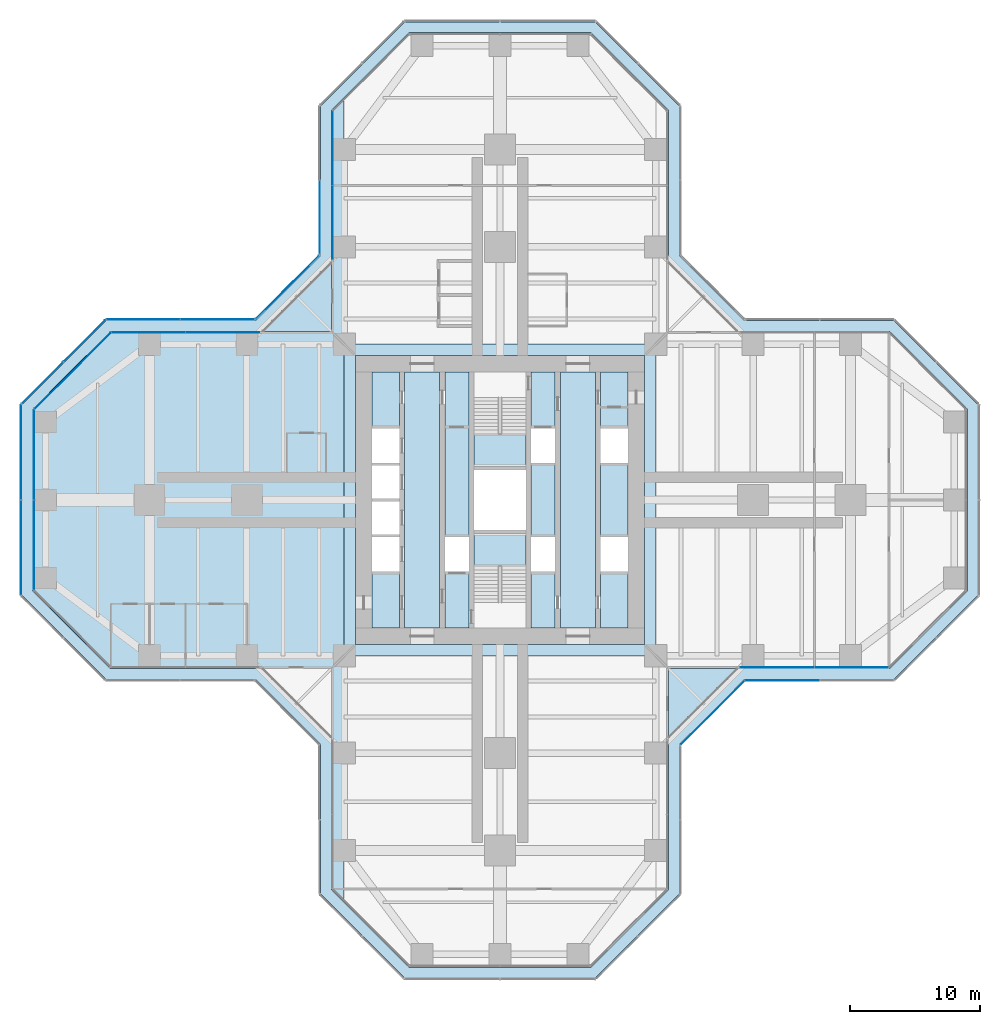
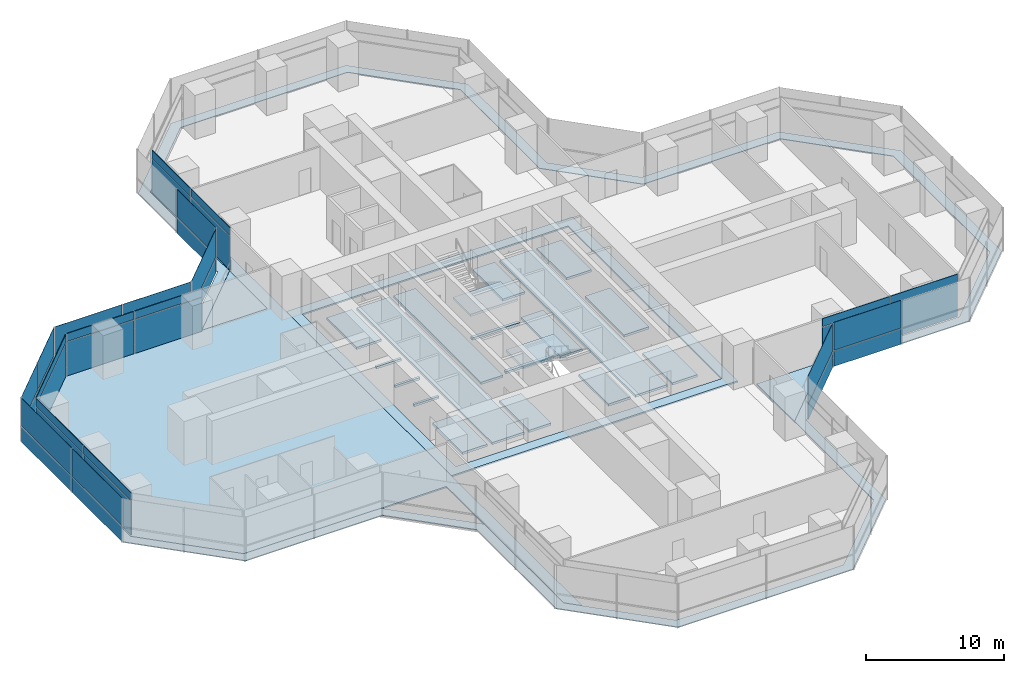
# One storey, part 15 of 22: 39 plates, 7 slabs, 14 elements without a shape of their own.
"""IFC4 building model written with IfcOpenShell, lengths in metres."""

from ifc_helpers import new_model, si_unit, direction, frame, origin, origin_2d, place, context, subcontext, project, spatial, polyline, rectangle, outline, extrude, material, layer, layer_set, type_object, element, aggregate, save


model = new_model("IFC4")

# Units and contexts
model_context = context("Model", 3, precision=1e-05, world=origin(), true_north=direction((0.0, 1.0)))
body_context = subcontext(model_context, "Body", "Model", "MODEL_VIEW")
ifc_project = project(units=[si_unit("LENGTHUNIT", "METRE"), si_unit("AREAUNIT", "SQUARE_METRE"), si_unit("VOLUMEUNIT", "CUBIC_METRE"), si_unit("PLANEANGLEUNIT", "RADIAN"), si_unit("MASSUNIT", "GRAM", prefix="KILO")], contexts=[model_context])

# Site, building, storey
site_placement = place(None, origin())
site = spatial("IfcSite", under=ifc_project, at=site_placement, CompositionType="ELEMENT")
building_placement = place(site_placement, origin())
building = spatial("IfcBuilding", under=site, at=building_placement, Name="Mizan Broadcast Tower", CompositionType="ELEMENT")
storey_placement = place(building_placement, frame((0.0, 0.0, 74.699951171875)))
storey = spatial("IfcBuildingStorey", under=building, at=storey_placement, Name="L15", CompositionType="ELEMENT", Elevation=74.699951171875)

# Plate
ifc_material_1 = material(Name="Aluminium grating", Category="aluminium")
ifc_layer_1 = layer(ifc_material_1, 0.050048828125)
ifc_layer_set_1 = layer_set([ifc_layer_1], Name="Aluminium grating")
plate_type_1 = type_object("IfcPlateType", Name="CAVITY GRATING", PredefinedType="USERDEFINED", material=ifc_layer_set_1)
plate_1_placement = place(storey_placement, frame((0.0, 0.0, -0.050048828125)))
element("IfcPlate", 1, at=plate_1_placement, inside=storey, type_object=plate_type_1, Name="Cavity grating L15", ObjectType="GRATING", PredefinedType="USERDEFINED", context=body_context, shape_type="SweptSolid", body=[
    extrude(outline(polyline([(13.820068359375, -18.839599609375), (18.839599609375, -13.820068359375), (30.339599609375, -13.820068359375), (36.820068359375, -7.339599609375), (36.820068359375, 7.339599609375), (30.339599609375, 13.820068359375), (18.839599609375, 13.820068359375), (13.820068359375, 18.839599609375), (13.820068359375, 30.339599609375), (7.339599609375, 36.820068359375), (-7.339599609375, 36.820068359375), (-13.820068359375, 30.339599609375), (-13.820068359375, 18.839599609375), (-18.839599609375, 13.820068359375), (-30.339599609375, 13.820068359375), (-36.820068359375, 7.339599609375), (-36.820068359375, -7.339599609375), (-30.339599609375, -13.820068359375), (-18.839599609375, -13.820068359375), (-13.820068359375, -18.839599609375), (-13.820068359375, -30.339599609375), (-7.339599609375, -36.820068359375), (7.339599609375, -36.820068359375), (13.820068359375, -30.339599609375), (13.820068359375, -18.839599609375)]), holes=[polyline([(36.0, 7.0), (36.0, -7.0), (30.0, -13.0), (18.5, -13.0), (13.0, -18.5), (13.0, -30.0), (7.0, -36.0), (-7.0, -36.0), (-13.0, -30.0), (-13.0, -18.5), (-18.5, -13.0), (-30.0, -13.0), (-36.0, -7.0), (-36.0, 7.0), (-30.0, 13.0), (-18.5, 13.0), (-13.0, 18.5), (-13.0, 30.0), (-7.0, 36.0), (7.0, 36.0), (13.0, 30.0), (13.0, 18.5), (18.5, 13.0), (30.0, 13.0), (36.0, 7.0)])]), origin(), (0.0, 0.0, 1.0), 0.050048828125),
])

# Slabs
ifc_material_2 = material(Name="Concrete C32/40", Category="concrete")
ifc_layer_2 = layer(ifc_material_2, 0.1298828125)
ifc_layer_set_2 = layer_set([ifc_layer_2], Name="Concrete C32/40")
slab_type_1 = type_object("IfcSlabType", Name="COMPOSITE DECK SLAB 130", PredefinedType="FLOOR", material=ifc_layer_set_2)
slab_1_placement = place(storey_placement, frame((0.0, 0.0, -0.1298828125)))
element("IfcSlab", 2, at=slab_1_placement, inside=storey, type_object=slab_type_1, Name="Floor slab L15 centre", PredefinedType="FLOOR", context=body_context, shape_type="SweptSolid", body=[
    extrude(outline(polyline([(-12.0, -12.0), (12.0, -12.0), (12.0, 12.0), (-12.0, 12.0), (-12.0, -12.0)]), holes=[polyline([(-11.14990234375, 11.14990234375), (11.14990234375, 11.14990234375), (11.14990234375, -11.14990234375), (-11.14990234375, -11.14990234375), (-11.14990234375, 11.14990234375)])]), origin(), (0.0, 0.0, 1.0), 0.1298828125),
])
slab_2_placement = place(storey_placement, frame((0.0, 0.0, -0.1298828125)))
element("IfcSlab", 3, at=slab_2_placement, inside=storey, type_object=slab_type_1, Name="Floor slab L15 west arm", PredefinedType="FLOOR", context=body_context, shape_type="SweptSolid", body=[
    extrude(outline(polyline([(-13.0, -30.0), (-12.0, -31.0), (-12.0, 31.0), (-13.0, 30.0), (-13.0, 13.0), (-30.0, 13.0), (-36.0, 7.0), (-36.0, -7.0), (-30.0, -13.0), (-13.0, -13.0), (-13.0, -30.0)])), origin(), (0.0, 0.0, 1.0), 0.1298828125),
])
ifc_material_3 = material(Name="Concrete C40/50", Category="concrete")
ifc_layer_3 = layer(ifc_material_3, 0.199951171875)
ifc_layer_set_3 = layer_set([ifc_layer_3], Name="Concrete C40/50")
slab_type_2 = type_object("IfcSlabType", Name="CORE FLOOR 200", PredefinedType="FLOOR", material=ifc_layer_set_3)
slab_3_placement = place(storey_placement, frame((0.0, 0.0, -0.199951171875)))
element("IfcSlab", 4, at=slab_3_placement, inside=storey, type_object=slab_type_2, Name="Core floor L15", PredefinedType="FLOOR", context=body_context, shape_type="SweptSolid", body=[
    extrude(outline(polyline([(-9.85009765625, -9.85009765625), (-7.75, -9.85009765625), (-7.75, -5.5), (-9.85009765625, -5.5), (-9.85009765625, -9.85009765625)])), origin(), (0.0, 0.0, 1.0), 0.199951171875),
    extrude(outline(polyline([(-9.85009765625, -2.85009765625), (-7.75, -2.85009765625), (-7.75, -2.64990234375), (-9.85009765625, -2.64990234375), (-9.85009765625, -2.85009765625)])), origin(), (0.0, 0.0, 1.0), 0.199951171875),
    extrude(outline(polyline([(-9.85009765625, -0.10009765625), (-7.75, -0.10009765625), (-7.75, 0.10009765625), (-9.85009765625, 0.10009765625), (-9.85009765625, -0.10009765625)])), origin(), (0.0, 0.0, 1.0), 0.199951171875),
    extrude(outline(polyline([(-9.85009765625, 2.64990234375), (-7.75, 2.64990234375), (-7.75, 2.85009765625), (-9.85009765625, 2.85009765625), (-9.85009765625, 2.64990234375)])), origin(), (0.0, 0.0, 1.0), 0.199951171875),
    extrude(outline(polyline([(-9.85009765625, 5.5), (-7.75, 5.5), (-7.75, 9.85009765625), (-9.85009765625, 9.85009765625), (-9.85009765625, 5.5)])), origin(), (0.0, 0.0, 1.0), 0.199951171875),
    extrude(outline(polyline([(-4.64990234375, 9.85009765625), (-7.35009765625, 9.85009765625), (-7.35009765625, -9.85009765625), (-4.64990234375, -9.85009765625), (-4.64990234375, 9.85009765625)])), origin(), (0.0, 0.0, 1.0), 0.199951171875),
    extrude(outline(polyline([(-4.25, -5.5), (-4.25, -9.85009765625), (-2.39990234375, -9.85009765625), (-2.39990234375, -5.5), (-4.25, -5.5)])), origin(), (0.0, 0.0, 1.0), 0.199951171875),
    extrude(outline(polyline([(-4.25, -2.85009765625), (-2.39990234375, -2.85009765625), (-2.39990234375, 9.85009765625), (-4.25, 9.85009765625), (-4.25, -2.85009765625)])), origin(), (0.0, 0.0, 1.0), 0.199951171875),
    extrude(outline(polyline([(2.0, -2.324951171875), (-2.0, -2.324951171875), (-2.0, -2.574951171875), (2.0, -2.574951171875), (2.0, -2.324951171875)])), origin(), (0.0, 0.0, 1.0), 0.199951171875),
    extrude(outline(polyline([(2.0, 2.574951171875), (-2.0, 2.574951171875), (-2.0, 2.324951171875), (2.0, 2.324951171875), (2.0, 2.574951171875)])), origin(), (0.0, 0.0, 1.0), 0.199951171875),
    extrude(outline(polyline([(4.25, -9.85009765625), (4.25, -5.5), (2.39990234375, -5.5), (2.39990234375, -9.85009765625), (4.25, -9.85009765625)])), origin(), (0.0, 0.0, 1.0), 0.199951171875),
    extrude(outline(polyline([(4.25, -2.85009765625), (4.25, 2.85009765625), (2.39990234375, 2.85009765625), (2.39990234375, -2.85009765625), (4.25, -2.85009765625)])), origin(), (0.0, 0.0, 1.0), 0.199951171875),
    extrude(outline(polyline([(4.25, 5.5), (4.25, 9.85009765625), (2.39990234375, 9.85009765625), (2.39990234375, 5.5), (4.25, 5.5)])), origin(), (0.0, 0.0, 1.0), 0.199951171875),
    extrude(outline(polyline([(4.64990234375, 9.85009765625), (4.64990234375, -9.85009765625), (7.35009765625, -9.85009765625), (7.35009765625, 9.85009765625), (4.64990234375, 9.85009765625)])), origin(), (0.0, 0.0, 1.0), 0.199951171875),
    extrude(outline(polyline([(9.85009765625, -9.85009765625), (9.85009765625, -5.5), (7.75, -5.5), (7.75, -9.85009765625), (9.85009765625, -9.85009765625)])), origin(), (0.0, 0.0, 1.0), 0.199951171875),
    extrude(outline(polyline([(7.75, 2.85009765625), (7.75, -2.85009765625), (9.85009765625, -2.85009765625), (9.85009765625, 2.85009765625), (7.75, 2.85009765625)])), origin(), (0.0, 0.0, 1.0), 0.199951171875),
    extrude(outline(polyline([(9.85009765625, 5.5), (9.85009765625, 9.85009765625), (7.75, 9.85009765625), (7.75, 5.5), (9.85009765625, 5.5)])), origin(), (0.0, 0.0, 1.0), 0.199951171875),
])

# Curtain wall, plates
ifc_material_4 = material(Name="Aluminium framed glazing", Category="aluminium")
curtain_wall_type_1 = type_object("IfcCurtainWallType", Name="INNER SKIN LOW ZONE", PredefinedType="USERDEFINED", material=ifc_material_4)
curtain_wall_1_placement = place(storey_placement, origin())
curtain_wall_1 = element("IfcCurtainWall", 5, at=curtain_wall_1_placement, inside=storey, type_object=curtain_wall_type_1, Name="Inner skin low zone L15 E side", ObjectType="INNER SKIN LOW ZONE", PredefinedType="USERDEFINED")
ifc_material_5 = material(Name="Double glazing, clear low-e", Category="glass")
ifc_layer_4 = layer(ifc_material_5, 0.028076171875)
ifc_layer_set_4 = layer_set([ifc_layer_4], Name="Double glazing, clear low-e")
plate_type_2 = type_object("IfcPlateType", Name="INNER SKIN GLAZING UNIT", PredefinedType="CURTAIN_PANEL", material=ifc_layer_set_4)
plate_2_placement = place(storey_placement, frame((21.379638671875, -12.89990234375, 0.0), z_axis=(0.0, 0.0, 1.0), x_axis=(1.0, 0.0, 0.0)))
plate_2 = element("IfcPlate", 6, at=plate_2_placement, type_object=plate_type_2, Name="Inner skin low zone L15 E side panel 1.1", PredefinedType="CURTAIN_PANEL", context=body_context, shape_type="SweptSolid", body=[
    extrude(rectangle(XDim=5.639404296875, YDim=0.028076171875, at=origin_2d()), origin(), (0.0, 0.0, 1.0), 3.0),
])
plate_3_placement = place(storey_placement, frame((27.078857421875, -12.89990234375, 0.0), z_axis=(0.0, 0.0, 1.0), x_axis=(1.0, 0.0, 0.0)))
plate_3 = element("IfcPlate", 7, at=plate_3_placement, type_object=plate_type_2, Name="Inner skin low zone L15 E side panel 2.1", PredefinedType="CURTAIN_PANEL", context=body_context, shape_type="SweptSolid", body=[
    extrude(rectangle(XDim=5.639404296875, YDim=0.028076171875, at=origin_2d()), origin(), (0.0, 0.0, 1.0), 3.0),
])

curtain_wall_2_placement = place(storey_placement, origin())
curtain_wall_2 = element("IfcCurtainWall", 8, at=curtain_wall_2_placement, inside=storey, type_object=curtain_wall_type_1, Name="Inner skin low zone L15 N side", ObjectType="INNER SKIN LOW ZONE", PredefinedType="USERDEFINED")
plate_4_placement = place(storey_placement, frame((-12.89990234375, 27.078857421875, 0.0), z_axis=(0.0, 0.0, 1.0), x_axis=(0.0, -1.0, 0.0)))
plate_4 = element("IfcPlate", 9, at=plate_4_placement, type_object=plate_type_2, Name="Inner skin low zone L15 N side panel 1.1", PredefinedType="CURTAIN_PANEL", context=body_context, shape_type="SweptSolid", body=[
    extrude(rectangle(XDim=5.639404296875, YDim=0.028076171875, at=origin_2d()), origin(), (0.0, 0.0, 1.0), 3.0),
])
plate_5_placement = place(storey_placement, frame((-12.89990234375, 21.379638671875, 0.0), z_axis=(0.0, 0.0, 1.0), x_axis=(0.0, -1.0, 0.0)))
plate_5 = element("IfcPlate", 10, at=plate_5_placement, type_object=plate_type_2, Name="Inner skin low zone L15 N side panel 2.1", PredefinedType="CURTAIN_PANEL", context=body_context, shape_type="SweptSolid", body=[
    extrude(rectangle(XDim=5.639404296875, YDim=0.028076171875, at=origin_2d()), origin(), (0.0, 0.0, 1.0), 3.0),
])

curtain_wall_3_placement = place(storey_placement, origin())
curtain_wall_3 = element("IfcCurtainWall", 11, at=curtain_wall_3_placement, inside=storey, type_object=curtain_wall_type_1, Name="Inner skin low zone L15 W side", ObjectType="INNER SKIN LOW ZONE", PredefinedType="USERDEFINED")
plate_6_placement = place(storey_placement, frame((-21.379638671875, 12.89990234375, 0.0), z_axis=(0.0, 0.0, 1.0), x_axis=(-1.0, 0.0, 0.0)))
plate_6 = element("IfcPlate", 12, at=plate_6_placement, type_object=plate_type_2, Name="Inner skin low zone L15 W side panel 1.1", PredefinedType="CURTAIN_PANEL", context=body_context, shape_type="SweptSolid", body=[
    extrude(rectangle(XDim=5.639404296875, YDim=0.028076171875, at=origin_2d()), origin(), (0.0, 0.0, 1.0), 3.0),
])
plate_7_placement = place(storey_placement, frame((-27.078857421875, 12.89990234375, 0.0), z_axis=(0.0, 0.0, 1.0), x_axis=(-1.0, 0.0, 0.0)))
plate_7 = element("IfcPlate", 13, at=plate_7_placement, type_object=plate_type_2, Name="Inner skin low zone L15 W side panel 2.1", PredefinedType="CURTAIN_PANEL", context=body_context, shape_type="SweptSolid", body=[
    extrude(rectangle(XDim=5.639404296875, YDim=0.028076171875, at=origin_2d()), origin(), (0.0, 0.0, 1.0), 3.0),
])

# Curtain wall, plate
curtain_wall_4_placement = place(storey_placement, origin())
curtain_wall_4 = element("IfcCurtainWall", 14, at=curtain_wall_4_placement, inside=storey, type_object=curtain_wall_type_1, Name="Inner skin low zone L15 W chamfer", ObjectType="INNER SKIN LOW ZONE", PredefinedType="USERDEFINED")
plate_8_placement = place(storey_placement, frame((-32.92919921875, 9.92919921875, 0.0), z_axis=(0.0, 0.0, 1.0), x_axis=(-0.707106781187, -0.707106781187, 0.0)))
plate_8 = element("IfcPlate", 15, at=plate_8_placement, type_object=plate_type_2, Name="Inner skin low zone L15 W chamfer panel 1.1", PredefinedType="CURTAIN_PANEL", context=body_context, shape_type="SweptSolid", body=[
    extrude(rectangle(XDim=8.282470703125, YDim=0.028076171875, at=origin_2d()), origin(), (0.0, 0.0, 1.0), 3.0),
])

# Curtain wall, plates
curtain_wall_5_placement = place(storey_placement, origin())
curtain_wall_5 = element("IfcCurtainWall", 16, at=curtain_wall_5_placement, inside=storey, type_object=curtain_wall_type_1, Name="Inner skin low zone L15 W end", ObjectType="INNER SKIN LOW ZONE", PredefinedType="USERDEFINED")
plate_9_placement = place(storey_placement, frame((-35.89990234375, 3.46435546875, 0.0), z_axis=(0.0, 0.0, 1.0), x_axis=(0.0, -1.0, 0.0)))
plate_9 = element("IfcPlate", 17, at=plate_9_placement, type_object=plate_type_2, Name="Inner skin low zone L15 W end panel 1.1", PredefinedType="CURTAIN_PANEL", context=body_context, shape_type="SweptSolid", body=[
    extrude(rectangle(XDim=6.86865234375, YDim=0.028076171875, at=origin_2d()), origin(), (0.0, 0.0, 1.0), 3.0),
])
plate_10_placement = place(storey_placement, frame((-35.89990234375, -3.46435546875, 0.0), z_axis=(0.0, 0.0, 1.0), x_axis=(0.0, -1.0, 0.0)))
plate_10 = element("IfcPlate", 18, at=plate_10_placement, type_object=plate_type_2, Name="Inner skin low zone L15 W end panel 2.1", PredefinedType="CURTAIN_PANEL", context=body_context, shape_type="SweptSolid", body=[
    extrude(rectangle(XDim=6.86865234375, YDim=0.028076171875, at=origin_2d()), origin(), (0.0, 0.0, 1.0), 3.0),
])

# Plate
ifc_material_6 = material(Name="Insulated aluminium spandrel panel, pale anodised", Category="aluminium")
ifc_layer_5 = layer(ifc_material_6, 0.050048828125)
ifc_layer_set_5 = layer_set([ifc_layer_5], Name="Insulated aluminium spandrel panel, pale anodised")
plate_type_3 = type_object("IfcPlateType", Name="INNER SKIN SPANDREL PANEL", PredefinedType="CURTAIN_PANEL", material=ifc_layer_set_5)
plate_11_placement = place(storey_placement, frame((21.379638671875, -12.89990234375, 3.06005859375), z_axis=(0.0, 0.0, 1.0), x_axis=(1.0, 0.0, 0.0)))
plate_11 = element("IfcPlate", 19, at=plate_11_placement, type_object=plate_type_3, Name="Inner skin low zone L15 E side panel 1.2", PredefinedType="CURTAIN_PANEL", context=body_context, shape_type="SweptSolid", body=[
    extrude(rectangle(XDim=5.639404296875, YDim=0.050048828125, at=origin_2d()), origin(), (0.0, 0.0, 1.0), 0.7099609375),
])

plate_12_placement = place(storey_placement, frame((27.078857421875, -12.89990234375, 3.06005859375), z_axis=(0.0, 0.0, 1.0), x_axis=(1.0, 0.0, 0.0)))
plate_12 = element("IfcPlate", 20, at=plate_12_placement, type_object=plate_type_3, Name="Inner skin low zone L15 E side panel 2.2", PredefinedType="CURTAIN_PANEL", context=body_context, shape_type="SweptSolid", body=[
    extrude(rectangle(XDim=5.639404296875, YDim=0.050048828125, at=origin_2d()), origin(), (0.0, 0.0, 1.0), 0.7099609375),
])

aggregate(curtain_wall_1, [plate_2, plate_11, plate_3, plate_12])

plate_13_placement = place(storey_placement, frame((-12.89990234375, 27.078857421875, 3.06005859375), z_axis=(0.0, 0.0, 1.0), x_axis=(0.0, -1.0, 0.0)))
plate_13 = element("IfcPlate", 21, at=plate_13_placement, type_object=plate_type_3, Name="Inner skin low zone L15 N side panel 1.2", PredefinedType="CURTAIN_PANEL", context=body_context, shape_type="SweptSolid", body=[
    extrude(rectangle(XDim=5.639404296875, YDim=0.050048828125, at=origin_2d()), origin(), (0.0, 0.0, 1.0), 0.7099609375),
])

plate_14_placement = place(storey_placement, frame((-12.89990234375, 21.379638671875, 3.06005859375), z_axis=(0.0, 0.0, 1.0), x_axis=(0.0, -1.0, 0.0)))
plate_14 = element("IfcPlate", 22, at=plate_14_placement, type_object=plate_type_3, Name="Inner skin low zone L15 N side panel 2.2", PredefinedType="CURTAIN_PANEL", context=body_context, shape_type="SweptSolid", body=[
    extrude(rectangle(XDim=5.639404296875, YDim=0.050048828125, at=origin_2d()), origin(), (0.0, 0.0, 1.0), 0.7099609375),
])

aggregate(curtain_wall_2, [plate_4, plate_13, plate_5, plate_14])

plate_15_placement = place(storey_placement, frame((-21.379638671875, 12.89990234375, 3.06005859375), z_axis=(0.0, 0.0, 1.0), x_axis=(-1.0, 0.0, 0.0)))
plate_15 = element("IfcPlate", 23, at=plate_15_placement, type_object=plate_type_3, Name="Inner skin low zone L15 W side panel 1.2", PredefinedType="CURTAIN_PANEL", context=body_context, shape_type="SweptSolid", body=[
    extrude(rectangle(XDim=5.639404296875, YDim=0.050048828125, at=origin_2d()), origin(), (0.0, 0.0, 1.0), 0.7099609375),
])

plate_16_placement = place(storey_placement, frame((-27.078857421875, 12.89990234375, 3.06005859375), z_axis=(0.0, 0.0, 1.0), x_axis=(-1.0, 0.0, 0.0)))
plate_16 = element("IfcPlate", 24, at=plate_16_placement, type_object=plate_type_3, Name="Inner skin low zone L15 W side panel 2.2", PredefinedType="CURTAIN_PANEL", context=body_context, shape_type="SweptSolid", body=[
    extrude(rectangle(XDim=5.639404296875, YDim=0.050048828125, at=origin_2d()), origin(), (0.0, 0.0, 1.0), 0.7099609375),
])

aggregate(curtain_wall_3, [plate_6, plate_15, plate_7, plate_16])

plate_17_placement = place(storey_placement, frame((-32.92919921875, 9.92919921875, 3.06005859375), z_axis=(0.0, 0.0, 1.0), x_axis=(-0.707106781187, -0.707106781187, 0.0)))
plate_17 = element("IfcPlate", 25, at=plate_17_placement, type_object=plate_type_3, Name="Inner skin low zone L15 W chamfer panel 1.2", PredefinedType="CURTAIN_PANEL", context=body_context, shape_type="SweptSolid", body=[
    extrude(rectangle(XDim=8.282470703125, YDim=0.050048828125, at=origin_2d()), origin(), (0.0, 0.0, 1.0), 0.7099609375),
])

aggregate(curtain_wall_4, [plate_8, plate_17])

plate_18_placement = place(storey_placement, frame((-35.89990234375, 3.46435546875, 3.06005859375), z_axis=(0.0, 0.0, 1.0), x_axis=(0.0, -1.0, 0.0)))
plate_18 = element("IfcPlate", 26, at=plate_18_placement, type_object=plate_type_3, Name="Inner skin low zone L15 W end panel 1.2", PredefinedType="CURTAIN_PANEL", context=body_context, shape_type="SweptSolid", body=[
    extrude(rectangle(XDim=6.86865234375, YDim=0.050048828125, at=origin_2d()), origin(), (0.0, 0.0, 1.0), 0.7099609375),
])

plate_19_placement = place(storey_placement, frame((-35.89990234375, -3.46435546875, 3.06005859375), z_axis=(0.0, 0.0, 1.0), x_axis=(0.0, -1.0, 0.0)))
plate_19 = element("IfcPlate", 27, at=plate_19_placement, type_object=plate_type_3, Name="Inner skin low zone L15 W end panel 2.2", PredefinedType="CURTAIN_PANEL", context=body_context, shape_type="SweptSolid", body=[
    extrude(rectangle(XDim=6.86865234375, YDim=0.050048828125, at=origin_2d()), origin(), (0.0, 0.0, 1.0), 0.7099609375),
])

aggregate(curtain_wall_5, [plate_9, plate_18, plate_10, plate_19])

# Curtain wall, plates
ifc_material_7 = material(Name="Aluminium framed glazing", Category="aluminium")
curtain_wall_type_2 = type_object("IfcCurtainWallType", Name="OUTER SKIN", PredefinedType="USERDEFINED", material=ifc_material_7)
curtain_wall_6_placement = place(storey_placement, origin())
curtain_wall_6 = element("IfcCurtainWall", 28, at=curtain_wall_6_placement, inside=storey, type_object=curtain_wall_type_2, Name="Outer skin L15 W chamfer", ObjectType="OUTER SKIN", PredefinedType="USERDEFINED")
ifc_material_8 = material(Name="Laminated clear glass", Category="glass")
ifc_layer_6 = layer(ifc_material_8, 0.02001953125)
ifc_layer_set_6 = layer_set([ifc_layer_6], Name="Laminated clear glass")
plate_type_4 = type_object("IfcPlateType", Name="OUTER SKIN CLEAR GLASS", PredefinedType="CURTAIN_PANEL", material=ifc_layer_set_6)
plate_20_placement = place(storey_placement, frame((-16.386474609375, 16.386474609375, 0.0), z_axis=(0.0, 0.0, 1.0), x_axis=(-0.707106781187, -0.707106781187, 0.0)))
plate_20 = element("IfcPlate", 29, at=plate_20_placement, type_object=plate_type_4, Name="Outer skin L15 W chamfer panel 1.1", PredefinedType="CURTAIN_PANEL", context=body_context, shape_type="SweptSolid", body=[
    extrude(rectangle(XDim=6.87255859375, YDim=0.02001953125, at=origin_2d()), origin(), (0.0, 0.0, 1.0), 1.3701171875),
])
plate_21_placement = place(storey_placement, frame((-16.386474609375, 16.386474609375, 1.43017578125), z_axis=(0.0, 0.0, 1.0), x_axis=(-0.707106781187, -0.707106781187, 0.0)))
plate_21 = element("IfcPlate", 30, at=plate_21_placement, type_object=plate_type_4, Name="Outer skin L15 W chamfer panel 1.2", PredefinedType="CURTAIN_PANEL", context=body_context, shape_type="SweptSolid", body=[
    extrude(rectangle(XDim=6.87255859375, YDim=0.02001953125, at=origin_2d()), origin(), (0.0, 0.0, 1.0), 2.469970703125),
])
aggregate(curtain_wall_6, [plate_20, plate_21])

curtain_wall_7_placement = place(storey_placement, origin())
curtain_wall_7 = element("IfcCurtainWall", 31, at=curtain_wall_7_placement, inside=storey, type_object=curtain_wall_type_2, Name="Outer skin L15 W side", ObjectType="OUTER SKIN", PredefinedType="USERDEFINED")
plate_22_placement = place(storey_placement, frame((-21.767822265625, 13.89990234375, 0.0), z_axis=(0.0, 0.0, 1.0), x_axis=(-1.0, 0.0, 0.0)))
plate_22 = element("IfcPlate", 32, at=plate_22_placement, type_object=plate_type_4, Name="Outer skin L15 W side panel 1.1", PredefinedType="CURTAIN_PANEL", context=body_context, shape_type="SweptSolid", body=[
    extrude(rectangle(XDim=5.6298828125, YDim=0.02001953125, at=origin_2d()), origin(), (0.0, 0.0, 1.0), 1.3701171875),
])
plate_23_placement = place(storey_placement, frame((-21.767822265625, 13.89990234375, 1.43017578125), z_axis=(0.0, 0.0, 1.0), x_axis=(-1.0, 0.0, 0.0)))
plate_23 = element("IfcPlate", 33, at=plate_23_placement, type_object=plate_type_4, Name="Outer skin L15 W side panel 1.2", PredefinedType="CURTAIN_PANEL", context=body_context, shape_type="SweptSolid", body=[
    extrude(rectangle(XDim=5.6298828125, YDim=0.02001953125, at=origin_2d()), origin(), (0.0, 0.0, 1.0), 2.469970703125),
])
plate_24_placement = place(storey_placement, frame((-27.477783203125, 13.89990234375, 0.0), z_axis=(0.0, 0.0, 1.0), x_axis=(-1.0, 0.0, 0.0)))
plate_24 = element("IfcPlate", 34, at=plate_24_placement, type_object=plate_type_4, Name="Outer skin L15 W side panel 2.1", PredefinedType="CURTAIN_PANEL", context=body_context, shape_type="SweptSolid", body=[
    extrude(rectangle(XDim=5.6298828125, YDim=0.02001953125, at=origin_2d()), origin(), (0.0, 0.0, 1.0), 1.3701171875),
])
plate_25_placement = place(storey_placement, frame((-27.477783203125, 13.89990234375, 1.43017578125), z_axis=(0.0, 0.0, 1.0), x_axis=(-1.0, 0.0, 0.0)))
plate_25 = element("IfcPlate", 35, at=plate_25_placement, type_object=plate_type_4, Name="Outer skin L15 W side panel 2.2", PredefinedType="CURTAIN_PANEL", context=body_context, shape_type="SweptSolid", body=[
    extrude(rectangle(XDim=5.6298828125, YDim=0.02001953125, at=origin_2d()), origin(), (0.0, 0.0, 1.0), 2.469970703125),
])
aggregate(curtain_wall_7, [plate_22, plate_23, plate_24, plate_25])

curtain_wall_8_placement = place(storey_placement, origin())
curtain_wall_8 = element("IfcCurtainWall", 36, at=curtain_wall_8_placement, inside=storey, type_object=curtain_wall_type_2, Name="Outer skin L15 W chamfer", ObjectType="OUTER SKIN", PredefinedType="USERDEFINED")
plate_26_placement = place(storey_placement, frame((-32.018798828125, 12.254150390625, 0.0), z_axis=(0.0, 0.0, 1.0), x_axis=(-0.707106781187, -0.707106781187, 0.0)))
plate_26 = element("IfcPlate", 37, at=plate_26_placement, type_object=plate_type_4, Name="Outer skin L15 W chamfer panel 1.1", PredefinedType="CURTAIN_PANEL", context=body_context, shape_type="SweptSolid", body=[
    extrude(rectangle(XDim=4.495361328125, YDim=0.02001953125, at=origin_2d()), origin(), (0.0, 0.0, 1.0), 1.3701171875),
])
plate_27_placement = place(storey_placement, frame((-32.018798828125, 12.254150390625, 1.43017578125), z_axis=(0.0, 0.0, 1.0), x_axis=(-0.707106781187, -0.707106781187, 0.0)))
plate_27 = element("IfcPlate", 38, at=plate_27_placement, type_object=plate_type_4, Name="Outer skin L15 W chamfer panel 1.2", PredefinedType="CURTAIN_PANEL", context=body_context, shape_type="SweptSolid", body=[
    extrude(rectangle(XDim=4.495361328125, YDim=0.02001953125, at=origin_2d()), origin(), (0.0, 0.0, 1.0), 2.469970703125),
])

curtain_wall_9_placement = place(storey_placement, origin())
curtain_wall_9 = element("IfcCurtainWall", 39, at=curtain_wall_9_placement, inside=storey, type_object=curtain_wall_type_2, Name="Outer skin L15 W end", ObjectType="OUTER SKIN", PredefinedType="USERDEFINED")
plate_28_placement = place(storey_placement, frame((-36.89990234375, 3.66650390625, 0.0), z_axis=(0.0, 0.0, 1.0), x_axis=(0.0, -1.0, 0.0)))
plate_28 = element("IfcPlate", 40, at=plate_28_placement, type_object=plate_type_4, Name="Outer skin L15 W end panel 1.1", PredefinedType="CURTAIN_PANEL", context=body_context, shape_type="SweptSolid", body=[
    extrude(rectangle(XDim=7.252685546875, YDim=0.02001953125, at=origin_2d()), origin(), (0.0, 0.0, 1.0), 1.3701171875),
])
plate_29_placement = place(storey_placement, frame((-36.89990234375, 3.66650390625, 1.43017578125), z_axis=(0.0, 0.0, 1.0), x_axis=(0.0, -1.0, 0.0)))
plate_29 = element("IfcPlate", 41, at=plate_29_placement, type_object=plate_type_4, Name="Outer skin L15 W end panel 1.2", PredefinedType="CURTAIN_PANEL", context=body_context, shape_type="SweptSolid", body=[
    extrude(rectangle(XDim=7.252685546875, YDim=0.02001953125, at=origin_2d()), origin(), (0.0, 0.0, 1.0), 2.469970703125),
])

curtain_wall_10_placement = place(storey_placement, origin())
curtain_wall_10 = element("IfcCurtainWall", 42, at=curtain_wall_10_placement, inside=storey, type_object=curtain_wall_type_2, Name="Outer skin L15 E chamfer", ObjectType="OUTER SKIN", PredefinedType="USERDEFINED")
plate_30_placement = place(storey_placement, frame((16.386474609375, -16.386474609375, 0.0), z_axis=(0.0, 0.0, 1.0), x_axis=(0.707106781187, 0.707106781187, 0.0)))
plate_30 = element("IfcPlate", 43, at=plate_30_placement, type_object=plate_type_4, Name="Outer skin L15 E chamfer panel 1.1", PredefinedType="CURTAIN_PANEL", context=body_context, shape_type="SweptSolid", body=[
    extrude(rectangle(XDim=6.87255859375, YDim=0.02001953125, at=origin_2d()), origin(), (0.0, 0.0, 1.0), 1.3701171875),
])
plate_31_placement = place(storey_placement, frame((16.386474609375, -16.386474609375, 1.43017578125), z_axis=(0.0, 0.0, 1.0), x_axis=(0.707106781187, 0.707106781187, 0.0)))
plate_31 = element("IfcPlate", 44, at=plate_31_placement, type_object=plate_type_4, Name="Outer skin L15 E chamfer panel 1.2", PredefinedType="CURTAIN_PANEL", context=body_context, shape_type="SweptSolid", body=[
    extrude(rectangle(XDim=6.87255859375, YDim=0.02001953125, at=origin_2d()), origin(), (0.0, 0.0, 1.0), 2.469970703125),
])
aggregate(curtain_wall_10, [plate_30, plate_31])

curtain_wall_11_placement = place(storey_placement, origin())
curtain_wall_11 = element("IfcCurtainWall", 45, at=curtain_wall_11_placement, inside=storey, type_object=curtain_wall_type_2, Name="Outer skin L15 E side", ObjectType="OUTER SKIN", PredefinedType="USERDEFINED")
plate_32_placement = place(storey_placement, frame((21.767822265625, -13.89990234375, 0.0), z_axis=(0.0, 0.0, 1.0), x_axis=(1.0, 0.0, 0.0)))
plate_32 = element("IfcPlate", 46, at=plate_32_placement, type_object=plate_type_4, Name="Outer skin L15 E side panel 1.1", PredefinedType="CURTAIN_PANEL", context=body_context, shape_type="SweptSolid", body=[
    extrude(rectangle(XDim=5.6298828125, YDim=0.02001953125, at=origin_2d()), origin(), (0.0, 0.0, 1.0), 1.3701171875),
])
plate_33_placement = place(storey_placement, frame((21.767822265625, -13.89990234375, 1.43017578125), z_axis=(0.0, 0.0, 1.0), x_axis=(1.0, 0.0, 0.0)))
plate_33 = element("IfcPlate", 47, at=plate_33_placement, type_object=plate_type_4, Name="Outer skin L15 E side panel 1.2", PredefinedType="CURTAIN_PANEL", context=body_context, shape_type="SweptSolid", body=[
    extrude(rectangle(XDim=5.6298828125, YDim=0.02001953125, at=origin_2d()), origin(), (0.0, 0.0, 1.0), 2.469970703125),
])
aggregate(curtain_wall_11, [plate_32, plate_33])

curtain_wall_12_placement = place(storey_placement, origin())
curtain_wall_12 = element("IfcCurtainWall", 48, at=curtain_wall_12_placement, inside=storey, type_object=curtain_wall_type_2, Name="Outer skin L15 N side", ObjectType="OUTER SKIN", PredefinedType="USERDEFINED")
ifc_material_9 = material(Name="Perforated aluminium, pale anodised", Category="aluminium")
ifc_layer_7 = layer(ifc_material_9, 0.011962890625)
ifc_layer_set_7 = layer_set([ifc_layer_7], Name="Perforated aluminium, pale anodised")
plate_type_5 = type_object("IfcPlateType", Name="OUTER SKIN PERFORATED SCREEN", PredefinedType="USERDEFINED", material=ifc_layer_set_7)
plate_34_placement = place(storey_placement, frame((-13.89990234375, 21.767822265625, 0.0), z_axis=(0.0, 0.0, 1.0), x_axis=(0.0, -1.0, 0.0)))
plate_34 = element("IfcPlate", 49, at=plate_34_placement, type_object=plate_type_5, Name="Outer skin L15 N side panel 2.1", ObjectType="SCREEN", PredefinedType="USERDEFINED", context=body_context, shape_type="SweptSolid", body=[
    extrude(rectangle(XDim=5.6298828125, YDim=0.011962890625, at=origin_2d()), origin(), (0.0, 0.0, 1.0), 1.3701171875),
])
plate_35_placement = place(storey_placement, frame((-13.89990234375, 21.767822265625, 1.43017578125), z_axis=(0.0, 0.0, 1.0), x_axis=(0.0, -1.0, 0.0)))
plate_35 = element("IfcPlate", 50, at=plate_35_placement, type_object=plate_type_5, Name="Outer skin L15 N side panel 2.2", ObjectType="SCREEN", PredefinedType="USERDEFINED", context=body_context, shape_type="SweptSolid", body=[
    extrude(rectangle(XDim=5.6298828125, YDim=0.011962890625, at=origin_2d()), origin(), (0.0, 0.0, 1.0), 2.469970703125),
])
aggregate(curtain_wall_12, [plate_34, plate_35])

# Plate
plate_36_placement = place(storey_placement, frame((-35.254150390625, 9.018798828125, 0.0), z_axis=(0.0, 0.0, 1.0), x_axis=(-0.707106781187, -0.707106781187, 0.0)))
plate_36 = element("IfcPlate", 51, at=plate_36_placement, type_object=plate_type_5, Name="Outer skin L15 W chamfer panel 2.1", ObjectType="SCREEN", PredefinedType="USERDEFINED", context=body_context, shape_type="SweptSolid", body=[
    extrude(rectangle(XDim=4.495361328125, YDim=0.011962890625, at=origin_2d()), origin(), (0.0, 0.0, 1.0), 1.3701171875),
])

plate_37_placement = place(storey_placement, frame((-35.254150390625, 9.018798828125, 1.43017578125), z_axis=(0.0, 0.0, 1.0), x_axis=(-0.707106781187, -0.707106781187, 0.0)))
plate_37 = element("IfcPlate", 52, at=plate_37_placement, type_object=plate_type_5, Name="Outer skin L15 W chamfer panel 2.2", ObjectType="SCREEN", PredefinedType="USERDEFINED", context=body_context, shape_type="SweptSolid", body=[
    extrude(rectangle(XDim=4.495361328125, YDim=0.011962890625, at=origin_2d()), origin(), (0.0, 0.0, 1.0), 2.469970703125),
])

aggregate(curtain_wall_8, [plate_26, plate_27, plate_36, plate_37])

plate_38_placement = place(storey_placement, frame((-36.89990234375, -3.66650390625, 0.0), z_axis=(0.0, 0.0, 1.0), x_axis=(0.0, -1.0, 0.0)))
plate_38 = element("IfcPlate", 53, at=plate_38_placement, type_object=plate_type_5, Name="Outer skin L15 W end panel 2.1", ObjectType="SCREEN", PredefinedType="USERDEFINED", context=body_context, shape_type="SweptSolid", body=[
    extrude(rectangle(XDim=7.252685546875, YDim=0.011962890625, at=origin_2d()), origin(), (0.0, 0.0, 1.0), 1.3701171875),
])

plate_39_placement = place(storey_placement, frame((-36.89990234375, -3.66650390625, 1.43017578125), z_axis=(0.0, 0.0, 1.0), x_axis=(0.0, -1.0, 0.0)))
plate_39 = element("IfcPlate", 54, at=plate_39_placement, type_object=plate_type_5, Name="Outer skin L15 W end panel 2.2", ObjectType="SCREEN", PredefinedType="USERDEFINED", context=body_context, shape_type="SweptSolid", body=[
    extrude(rectangle(XDim=7.252685546875, YDim=0.011962890625, at=origin_2d()), origin(), (0.0, 0.0, 1.0), 2.469970703125),
])

aggregate(curtain_wall_9, [plate_28, plate_29, plate_38, plate_39])

# Stair, slab
ifc_material_10 = material(Name="Concrete C40/50", Category="concrete")
stair_type = type_object("IfcStairType", Name="EXIT STAIR", PredefinedType="HALF_TURN_STAIR", material=ifc_material_10)
stair_1_placement = place(storey_placement, origin())
stair_1 = element("IfcStair", 55, at=stair_1_placement, inside=storey, type_object=stair_type, Name="Stair A L15", PredefinedType="HALF_TURN_STAIR")
ifc_material_11 = material(Name="Concrete C40/50", Category="concrete")
ifc_layer_8 = layer(ifc_material_11, 0.199951171875)
ifc_layer_set_8 = layer_set([ifc_layer_8], Name="Concrete C40/50")
slab_type_3 = type_object("IfcSlabType", Name="STAIR LANDING 200", PredefinedType="LANDING", material=ifc_layer_set_8)
slab_4_placement = place(storey_placement, frame((0.0, 0.0, 1.75)))
slab_4 = element("IfcSlab", 56, at=slab_4_placement, type_object=slab_type_3, Name="A landing 2", PredefinedType="LANDING", context=body_context, shape_type="SweptSolid", body=[
    extrude(outline(polyline([(-2.0, -5.10009765625), (-2.0, -2.574951171875), (2.0, -2.574951171875), (2.0, -5.10009765625), (-2.0, -5.10009765625)])), origin(), (0.0, 0.0, 1.0), 0.199951171875),
])
aggregate(stair_1, [slab_4])

stair_2_placement = place(storey_placement, origin())
stair_2 = element("IfcStair", 57, at=stair_2_placement, inside=storey, type_object=stair_type, Name="Stair B L15", PredefinedType="HALF_TURN_STAIR")
slab_5_placement = place(storey_placement, frame((0.0, 0.0, 1.75)))
slab_5 = element("IfcSlab", 58, at=slab_5_placement, type_object=slab_type_3, Name="B landing 2", PredefinedType="LANDING", context=body_context, shape_type="SweptSolid", body=[
    extrude(outline(polyline([(2.0, 5.10009765625), (2.0, 2.574951171875), (-2.0, 2.574951171875), (-2.0, 5.10009765625), (2.0, 5.10009765625)])), origin(), (0.0, 0.0, 1.0), 0.199951171875),
])
aggregate(stair_2, [slab_5])

# Slabs
ifc_material_12 = material(Name="Concrete C32/40", Category="concrete")
ifc_layer_9 = layer(ifc_material_12, 0.1298828125)
ifc_layer_set_9 = layer_set([ifc_layer_9], Name="Concrete C32/40")
slab_type_4 = type_object("IfcSlabType", Name="WINTER GARDEN SLAB 130", PredefinedType="FLOOR", material=ifc_layer_set_9)
slab_6_placement = place(storey_placement, frame((0.0, 0.0, -0.1298828125)))
element("IfcSlab", 59, at=slab_6_placement, inside=storey, type_object=slab_type_4, Name="Winter garden slab L15 N", PredefinedType="FLOOR", context=body_context, shape_type="SweptSolid", body=[
    extrude(outline(polyline([(-13.0, 13.0), (-13.0, 18.5), (-18.5, 13.0), (-13.0, 13.0)])), origin(), (0.0, 0.0, 1.0), 0.1298828125),
])
slab_7_placement = place(storey_placement, frame((0.0, 0.0, -0.1298828125)))
element("IfcSlab", 60, at=slab_7_placement, inside=storey, type_object=slab_type_4, Name="Winter garden slab L15 S", PredefinedType="FLOOR", context=body_context, shape_type="SweptSolid", body=[
    extrude(outline(polyline([(13.0, -13.0), (13.0, -18.5), (18.5, -13.0), (13.0, -13.0)])), origin(), (0.0, 0.0, 1.0), 0.1298828125),
])

save(model, "model.ifc")
